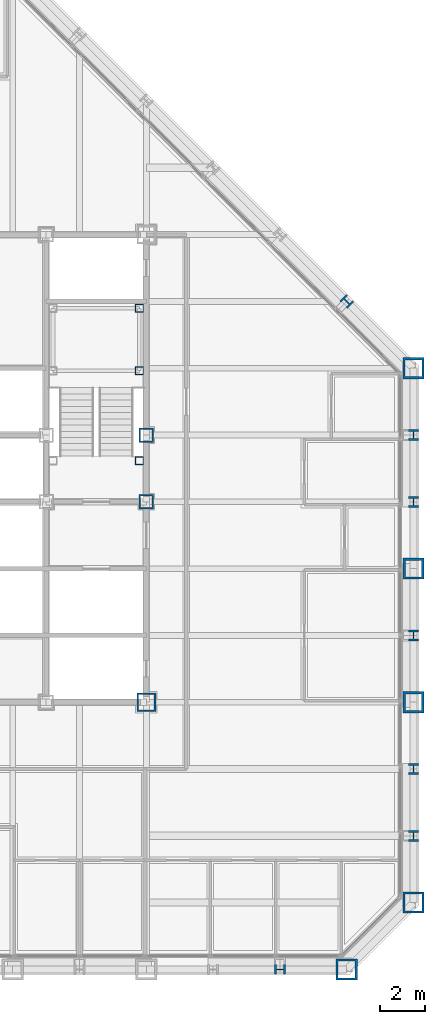
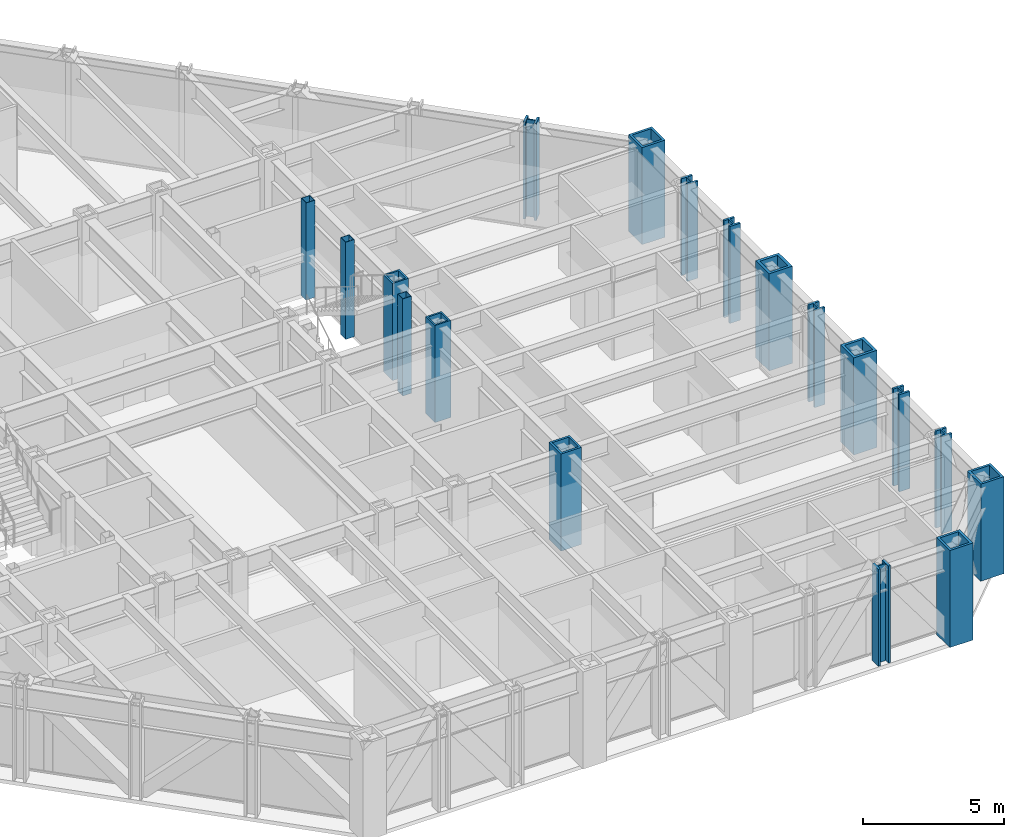
# One storey, part 2 of 16: 18 columns.
"""IFC4 building model written with IfcOpenShell, lengths in metres."""

from ifc_helpers import new_model, si_unit, direction, frame, origin, origin_2d, place, context, subcontext, project, spatial, hollow_rectangle, i_section, extrude, material, material_profile, profile_set, type_object, element, save


model = new_model("IFC4")

# Units and contexts
model_context = context("Model", 3, precision=1e-05, world=origin(), true_north=direction((0.0, 1.0)))
body_context = subcontext(model_context, "Body", "Model", "MODEL_VIEW")
ifc_project = project(units=[si_unit("LENGTHUNIT", "METRE"), si_unit("AREAUNIT", "SQUARE_METRE"), si_unit("VOLUMEUNIT", "CUBIC_METRE"), si_unit("PLANEANGLEUNIT", "RADIAN"), si_unit("MASSUNIT", "GRAM", prefix="KILO")], contexts=[model_context])

# Site, building, storey
site_placement = place(None, origin())
site = spatial("IfcSite", under=ifc_project, at=site_placement, CompositionType="ELEMENT")
building_placement = place(site_placement, origin())
building = spatial("IfcBuilding", under=site, at=building_placement, Name="Chuquiago Exchange Tower", CompositionType="ELEMENT")
storey_placement = place(building_placement, frame((0.0, 0.0, 157.199951171875)))
storey = spatial("IfcBuildingStorey", under=building, at=storey_placement, Name="L34", CompositionType="ELEMENT", Elevation=157.199951171875)

# Columns
ifc_material_1 = material(Name="Steel ASTM A992", Category="steel")
ifc_material_profile_1 = material_profile(ifc_material_1, i_section(OverallWidth=0.431884765625, OverallDepth=0.497802734375, WebThickness=0.0556640625, FlangeThickness=0.0888671875, at=origin_2d()), Name="W14X500")
ifc_profile_set_1 = profile_set([ifc_material_profile_1], Name="Steel ASTM A992")
column_type_1 = type_object("IfcColumnType", Name="C7 W14X500", PredefinedType="COLUMN", material=ifc_profile_set_1)
for number, where, z_axis, x_axis, name in (
    (1, (39.0, 0.0, 0.0), (0.0, 0.0, 1.0), (0.0, -1.0, 0.0), "COL-L34-39_0"),
    (2, (45.0, 6.0, 0.0), (0.0, 0.0, 1.0), (1.0, 0.0, 0.0), "COL-L34-45_6"),
    (3, (45.0, 9.0, 0.0), (0.0, 0.0, 1.0), (1.0, 0.0, 0.0), "COL-L34-45_9"),
    (4, (45.0, 15.0, 0.0), (0.0, 0.0, 1.0), (1.0, 0.0, 0.0), "COL-L34-45_15"),
    (5, (45.0, 21.0, 0.0), (0.0, 0.0, 1.0), (1.0, 0.0, 0.0), "COL-L34-45_21"),
    (6, (45.0, 24.0, 0.0), (0.0, 0.0, 1.0), (1.0, 0.0, 0.0), "COL-L34-45_24"),
):
    element("IfcColumn", number, at=place(storey_placement, frame(where, z_axis=z_axis, x_axis=x_axis)), inside=storey, type_object=column_type_1, Name=name, PredefinedType="COLUMN", context=body_context, shape_type="SweptSolid", body=[
        extrude(i_section(OverallWidth=0.431884765625, OverallDepth=0.497802734375, WebThickness=0.0556640625, FlangeThickness=0.0888671875, at=origin_2d()), origin(), (0.0, 0.0, 1.0), 4.199951171875),
    ])
ifc_material_2 = material(Name="Steel ASTM A572 Grade 50", Category="steel")
ifc_material_profile_2 = material_profile(ifc_material_2, hollow_rectangle(XDim=0.85009765625, YDim=0.85009765625, WallThickness=0.0849609375, at=origin_2d()), Name="BOX850X850X85")
ifc_profile_set_2 = profile_set([ifc_material_profile_2], Name="Steel ASTM A572 Grade 50")
column_type_2 = type_object("IfcColumnType", Name="CC6 BOX850X850X85", PredefinedType="COLUMN", material=ifc_profile_set_2)
column_1_placement = place(storey_placement, frame((33.0, 12.0, 0.0), z_axis=(0.0, 0.0, 1.0), x_axis=(1.0, 0.0, 0.0)))
element("IfcColumn", 7, at=column_1_placement, inside=storey, type_object=column_type_2, Name="CCOL-L34-33_12", PredefinedType="COLUMN", context=body_context, shape_type="SweptSolid", body=[
    extrude(hollow_rectangle(XDim=0.85009765625, YDim=0.85009765625, WallThickness=0.0849609375, at=origin_2d()), origin(), (0.0, 0.0, 1.0), 4.199951171875),
])
ifc_material_3 = material(Name="Steel ASTM A572 Grade 50", Category="steel")
ifc_material_profile_3 = material_profile(ifc_material_3, hollow_rectangle(XDim=0.64990234375, YDim=0.64990234375, WallThickness=0.06494140625, at=origin_2d()), Name="BOX650X650X65")
ifc_profile_set_3 = profile_set([ifc_material_profile_3], Name="Steel ASTM A572 Grade 50")
column_type_3 = type_object("IfcColumnType", Name="CC7 BOX650X650X65", PredefinedType="COLUMN", material=ifc_profile_set_3)
for number, where, z_axis, x_axis, name in (
    (8, (33.0, 21.0, 0.0), (0.0, 0.0, 1.0), (1.0, 0.0, 0.0), "CCOL-L34-33_21"),
    (9, (33.0, 24.0, 0.0), (0.0, 0.0, 1.0), (1.0, 0.0, 0.0), "CCOL-L34-33_24"),
):
    element("IfcColumn", number, at=place(storey_placement, frame(where, z_axis=z_axis, x_axis=x_axis)), inside=storey, type_object=column_type_3, Name=name, PredefinedType="COLUMN", context=body_context, shape_type="SweptSolid", body=[
        extrude(hollow_rectangle(XDim=0.64990234375, YDim=0.64990234375, WallThickness=0.06494140625, at=origin_2d()), origin(), (0.0, 0.0, 1.0), 4.199951171875),
    ])
ifc_material_4 = material(Name="Steel ASTM A992", Category="steel")
ifc_material_profile_4 = material_profile(ifc_material_4, i_section(OverallWidth=0.4267578125, OverallDepth=0.482666015625, WebThickness=0.05126953125, FlangeThickness=0.08154296875, at=origin_2d()), Name="W14X455")
ifc_profile_set_4 = profile_set([ifc_material_profile_4], Name="Steel ASTM A992")
column_type_4 = type_object("IfcColumnType", Name="CK6 W14X455", PredefinedType="COLUMN", material=ifc_profile_set_4)
column_2_placement = place(storey_placement, frame((42.0, 30.0, 0.0), z_axis=(0.0, 0.0, 1.0), x_axis=(0.707106781187, 0.707106781187, 0.0)))
element("IfcColumn", 10, at=column_2_placement, inside=storey, type_object=column_type_4, Name="COL-L34-42_30", PredefinedType="COLUMN", context=body_context, shape_type="SweptSolid", body=[
    extrude(i_section(OverallWidth=0.4267578125, OverallDepth=0.482666015625, WebThickness=0.05126953125, FlangeThickness=0.08154296875, at=origin_2d()), origin(), (0.0, 0.0, 1.0), 4.199951171875),
])
ifc_material_5 = material(Name="Steel ASTM A572 Grade 50", Category="steel")
ifc_material_profile_5 = material_profile(ifc_material_5, hollow_rectangle(XDim=0.949951171875, YDim=0.949951171875, WallThickness=0.094970703125, at=origin_2d()), Name="BOX950X950X95")
ifc_profile_set_5 = profile_set([ifc_material_profile_5], Name="Steel ASTM A572 Grade 50")
column_type_5 = type_object("IfcColumnType", Name="CN1 BOX950X950X95", PredefinedType="COLUMN", material=ifc_profile_set_5)
for number, where, z_axis, x_axis, name in (
    (11, (42.0, 0.0, 0.0), (0.0, 0.0, 1.0), (0.0, -1.0, 0.0), "COL-L34-42_0"),
    (12, (45.0, 3.0, 0.0), (0.0, 0.0, 1.0), (1.0, 0.0, 0.0), "COL-L34-45_3"),
    (13, (45.0, 27.0, 0.0), (0.0, 0.0, 1.0), (1.0, 0.0, 0.0), "COL-L34-45_27"),
):
    element("IfcColumn", number, at=place(storey_placement, frame(where, z_axis=z_axis, x_axis=x_axis)), inside=storey, type_object=column_type_5, Name=name, PredefinedType="COLUMN", context=body_context, shape_type="SweptSolid", body=[
        extrude(hollow_rectangle(XDim=0.949951171875, YDim=0.949951171875, WallThickness=0.094970703125, at=origin_2d()), origin(), (0.0, 0.0, 1.0), 4.199951171875),
    ])
ifc_material_6 = material(Name="Steel ASTM A572 Grade 42", Category="steel")
ifc_material_profile_6 = material_profile(ifc_material_6, hollow_rectangle(XDim=0.949951171875, YDim=0.949951171875, WallThickness=0.110107421875, at=origin_2d()), Name="BOX950X950X110")
ifc_profile_set_6 = profile_set([ifc_material_profile_6], Name="Steel ASTM A572 Grade 42")
column_type_6 = type_object("IfcColumnType", Name="CT1 BOX950X950X110", PredefinedType="COLUMN", material=ifc_profile_set_6)
for number, where, z_axis, x_axis, name in (
    (14, (45.0, 12.0, 0.0), (0.0, 0.0, 1.0), (1.0, 0.0, 0.0), "COL-L34-45_12"),
    (15, (45.0, 18.0, 0.0), (0.0, 0.0, 1.0), (1.0, 0.0, 0.0), "COL-L34-45_18"),
):
    element("IfcColumn", number, at=place(storey_placement, frame(where, z_axis=z_axis, x_axis=x_axis)), inside=storey, type_object=column_type_6, Name=name, PredefinedType="COLUMN", context=body_context, shape_type="SweptSolid", body=[
        extrude(hollow_rectangle(XDim=0.949951171875, YDim=0.949951171875, WallThickness=0.110107421875, at=origin_2d()), origin(), (0.0, 0.0, 1.0), 4.199951171875),
    ])
ifc_material_7 = material(Name="Steel ASTM A500 Grade C", Category="steel")
ifc_material_profile_7 = material_profile(ifc_material_7, hollow_rectangle(XDim=0.355712890625, YDim=0.355712890625, WallThickness=0.0146484375, at=origin_2d()), Name="HSS14X14X5/8")
ifc_profile_set_7 = profile_set([ifc_material_profile_7], Name="Steel ASTM A500 Grade C")
column_type_7 = type_object("IfcColumnType", Name="PT2 HSS14X14X5/8", PredefinedType="COLUMN", material=ifc_profile_set_7)
for number, where, z_axis, x_axis, name in (
    (16, (32.68994140625, 29.68994140625, 0.0), (0.0, 0.0, 1.0), (1.0, 0.0, 0.0), "Stair ST2 L34 landing post"),
    (17, (32.68994140625, 26.889892578125, 0.0), (0.0, 0.0, 1.0), (1.0, 0.0, 0.0), "Stair ST2 L34 landing post"),
    (18, (32.68994140625, 22.85009765625, 0.0), (0.0, 0.0, 1.0), (1.0, 0.0, 0.0), "Stair ST2 L34 landing post"),
):
    element("IfcColumn", number, at=place(storey_placement, frame(where, z_axis=z_axis, x_axis=x_axis)), inside=storey, type_object=column_type_7, Name=name, PredefinedType="COLUMN", context=body_context, shape_type="SweptSolid", body=[
        extrude(hollow_rectangle(XDim=0.355712890625, YDim=0.355712890625, WallThickness=0.0146484375, at=origin_2d()), origin(), (0.0, 0.0, 1.0), 4.199951171875),
    ])

save(model, "model.ifc")
